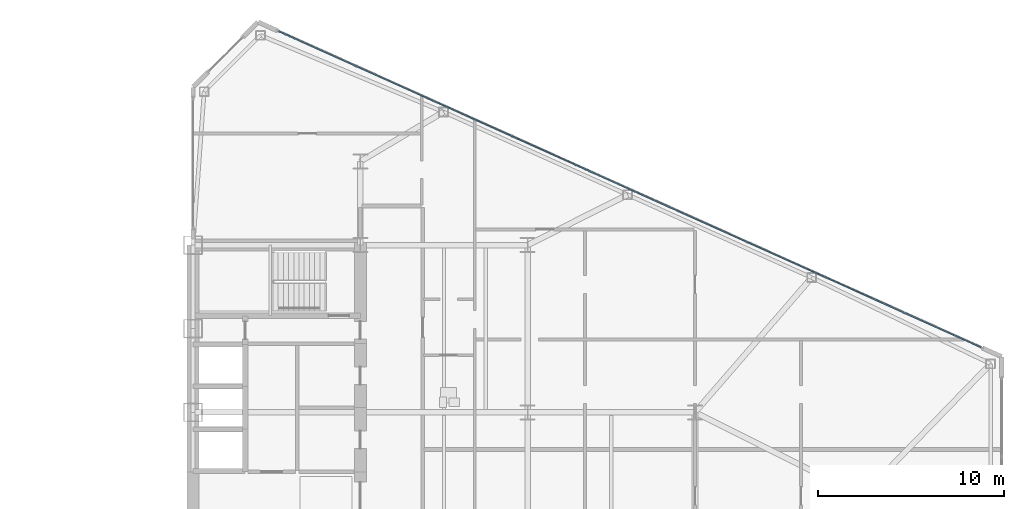
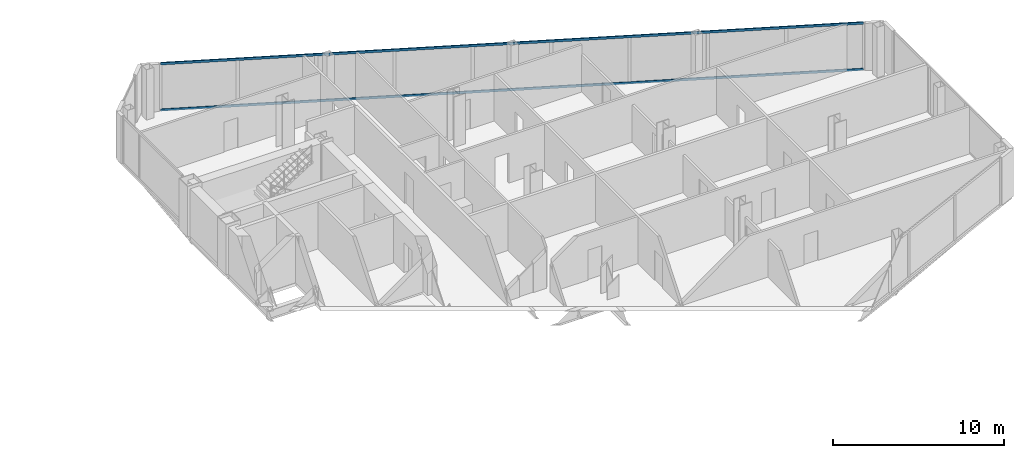
# One storey, part 14 of 27: 2 members, 1 element without a shape of its own.
"""IFC4 building model written with IfcOpenShell, lengths in metres."""

from ifc_helpers import new_model, si_unit, direction, frame, origin, origin_2d, place, context, subcontext, project, spatial, rectangle, extrude, source, transform, mapped, material, layer, layer_set, material_profile, profile_set, type_object, type_shapes, element, aggregate, save


model = new_model("IFC4")

# Units and contexts
model_context = context("Model", 3, precision=1e-05, world=origin(), true_north=direction((0.0, 1.0)))
body_context = subcontext(model_context, "Body", "Model", "MODEL_VIEW")
ifc_project = project(units=[si_unit("LENGTHUNIT", "METRE"), si_unit("AREAUNIT", "SQUARE_METRE"), si_unit("VOLUMEUNIT", "CUBIC_METRE"), si_unit("PLANEANGLEUNIT", "RADIAN"), si_unit("MASSUNIT", "GRAM", prefix="KILO")], contexts=[model_context])

# Site, building, storey
site_placement = place(None, origin())
site = spatial("IfcSite", under=ifc_project, at=site_placement, CompositionType="ELEMENT")
building_placement = place(site_placement, origin())
building = spatial("IfcBuilding", under=site, at=building_placement, Name="Seokmaru Belvedere", CompositionType="ELEMENT")
storey_placement = place(building_placement, frame((0.0, 0.0, 92.39990234375)))
storey = spatial("IfcBuildingStorey", under=building, at=storey_placement, Name="L24", CompositionType="ELEMENT", Elevation=92.39990234375)

# Curtain wall, members
ifc_material_1 = material(Name="Bronze Triple Insulating Glass", Category="glass")
ifc_layer = layer(ifc_material_1, 0.195068359375)
ifc_layer_set = layer_set([ifc_layer], Name="Bronze Triple Insulating Glass")
curtain_wall_type = type_object("IfcCurtainWallType", Name="Lower-Mid Tapered Curtain Wall System CW-3", PredefinedType="NOTDEFINED", material=ifc_layer_set)
curtain_wall_placement = place(storey_placement, origin())
curtain_wall = element("IfcCurtainWall", 1, at=curtain_wall_placement, inside=storey, type_object=curtain_wall_type, Name="L24 Curtain Wall EF3", PredefinedType="NOTDEFINED")
ifc_material_2 = material(Name="Anodised Bronze Aluminium", Category="aluminium")
ifc_material_profile = material_profile(ifc_material_2, rectangle(XDim=0.070068359375, YDim=0.1650390625, at=origin_2d()), Name="CW-T-70x165")
ifc_profile_set = profile_set([ifc_material_profile], Name="Anodised Bronze Aluminium")
member_type = type_object("IfcMemberType", Name="Bronze Unitised Transom 70x165", PredefinedType="USERDEFINED", material=ifc_profile_set)
shared_shape = source(origin(), body_context, "Body", "SweptSolid", [
    extrude(rectangle(XDim=0.070068359375, YDim=0.1650390625, at=origin_2d()), origin(), (0.0, 0.0, 1.0), 41.423583984375),
])
type_shapes(member_type, [shared_shape])
member_1_placement = place(storey_placement, frame((69.887451171875, 8.00048828125, 0.03515625), z_axis=(-0.911918637916, 0.410371048956, 0.0), x_axis=(-0.410371048956, -0.911918637916, 0.0)))
member_1 = element("IfcMember", 2, at=member_1_placement, type_object=member_type, Name="CW:L24:EF3 Continuous Transom 1", ObjectType="TRANSOM", PredefinedType="USERDEFINED", context=body_context, shape_type="MappedRepresentation", body=[
    mapped(shared_shape, transform((0.0, 0.0, 0.0), scale=1.0)),
])
member_2_placement = place(storey_placement, frame((69.887451171875, 8.00048828125, 3.34521484375), z_axis=(-0.911918637916, 0.410371048956, 0.0), x_axis=(-0.410371048956, -0.911918637916, 0.0)))
member_2 = element("IfcMember", 3, at=member_2_placement, type_object=member_type, Name="CW:L24:EF3 Continuous Transom 2", ObjectType="TRANSOM", PredefinedType="USERDEFINED", context=body_context, shape_type="MappedRepresentation", body=[
    mapped(shared_shape, transform((0.0, 0.0, 0.0), scale=1.0)),
])
aggregate(curtain_wall, [member_1, member_2])

save(model, "model.ifc")
